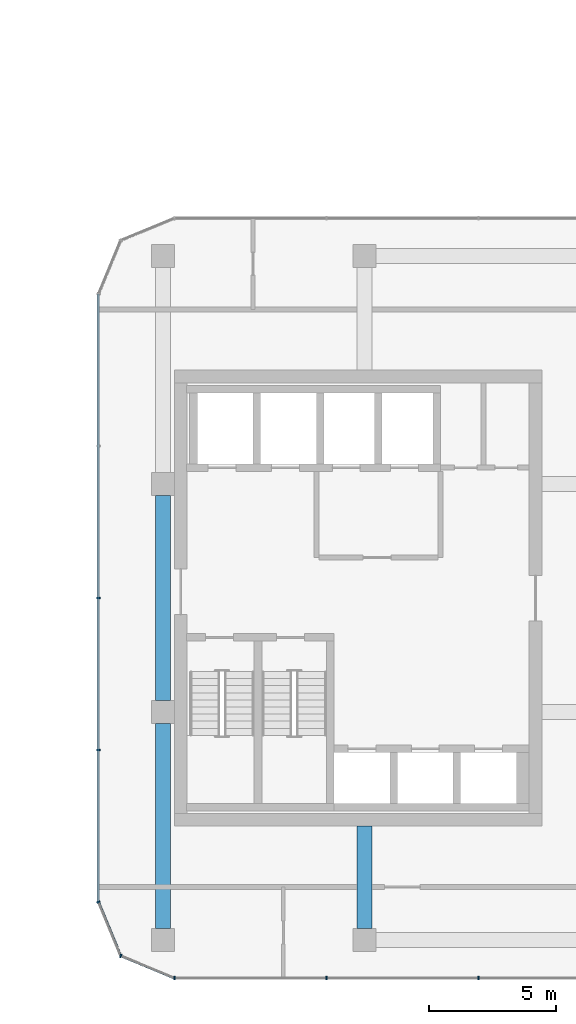
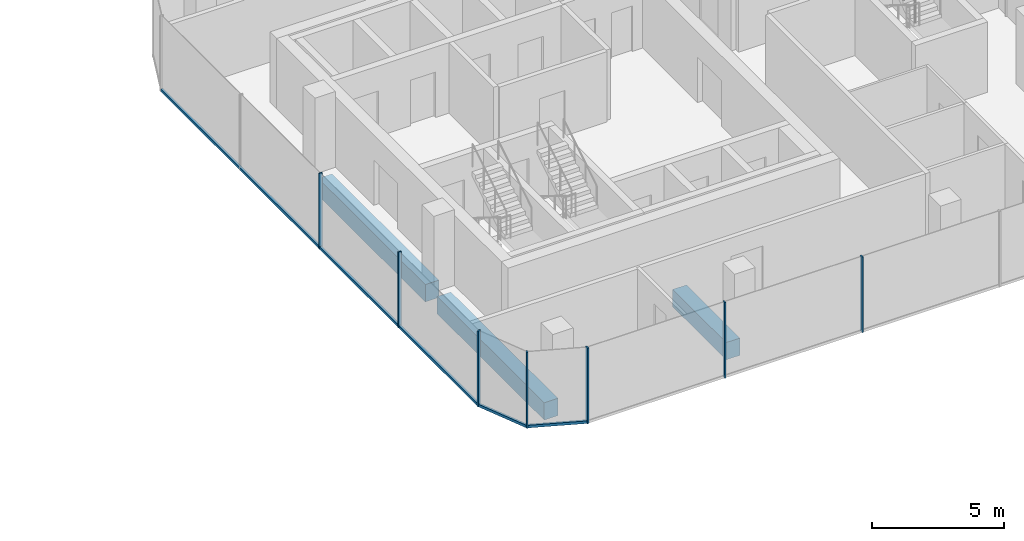
# One storey, part 8 of 24: 10 members, 3 beams, 4 elements without a shape of their own.
"""IFC4 building model written with IfcOpenShell, lengths in metres."""

from ifc_helpers import new_model, si_unit, direction, frame, origin, origin_2d, place, context, subcontext, project, spatial, rectangle, extrude, material, layer, layer_set, material_profile, profile_set, type_object, element, aggregate, save


model = new_model("IFC4")

# Units and contexts
model_context = context("Model", 3, precision=1e-05, world=origin(), true_north=direction((0.0, 1.0)))
body_context = subcontext(model_context, "Body", "Model", "MODEL_VIEW")
ifc_project = project(units=[si_unit("LENGTHUNIT", "METRE"), si_unit("AREAUNIT", "SQUARE_METRE"), si_unit("VOLUMEUNIT", "CUBIC_METRE"), si_unit("PLANEANGLEUNIT", "RADIAN"), si_unit("MASSUNIT", "GRAM", prefix="KILO")], contexts=[model_context])

# Site, building, storey
site_placement = place(None, origin())
site = spatial("IfcSite", under=ifc_project, at=site_placement, CompositionType="ELEMENT")
building_placement = place(site_placement, origin())
building = spatial("IfcBuilding", under=site, at=building_placement, Name="Plateau Cross Towers", CompositionType="ELEMENT")
storey_placement = place(building_placement, frame((0.0, 0.0, 51.300048828125)))
storey = spatial("IfcBuildingStorey", under=building, at=storey_placement, Name="L12", CompositionType="ELEMENT", Elevation=51.300048828125)

# Beam
ifc_material_1 = material(Name="Concrete C60/75", Category="concrete")
ifc_material_profile_1 = material_profile(ifc_material_1, rectangle(XDim=0.60009765625, YDim=0.800048828125, at=origin_2d()), Name="RC 600x800")
ifc_profile_set_1 = profile_set([ifc_material_profile_1], Name="Concrete C60/75")
beam_type_1 = type_object("IfcBeamType", Name="Core beam RC 600x800", PredefinedType="BEAM", material=ifc_profile_set_1)
beam_placement = place(storey_placement, frame((82.5, 0.0, -0.650146484375), z_axis=(0.0, -1.0, 0.0), x_axis=(1.0, 0.0, 0.0)))
element("IfcBeam", 1, at=beam_placement, inside=storey, type_object=beam_type_1, Name="B-CB01@L12", PredefinedType="BEAM", context=body_context, shape_type="SweptSolid", body=[
    extrude(rectangle(XDim=0.60009765625, YDim=0.800048828125, at=origin_2d()), origin(), (0.0, 0.0, 1.0), 4.050048828125),
])

# Curtain wall, members
ifc_material_2 = material(Name="Dark low-iron glass", Category="glass")
ifc_layer = layer(ifc_material_2, 0.239990234375)
ifc_layer_set = layer_set([ifc_layer], Name="Dark low-iron glass")
curtain_wall_type = type_object("IfcCurtainWallType", Name="Curtain wall office unitised CW-F", PredefinedType="NOTDEFINED", material=ifc_layer_set)
curtain_wall_1_placement = place(storey_placement, origin())
curtain_wall_1 = element("IfcCurtainWall", 2, at=curtain_wall_1_placement, inside=storey, type_object=curtain_wall_type, Name="ENV/B/L12/B750_-60", PredefinedType="NOTDEFINED")
ifc_material_3 = material(Name="Black anodised aluminium", Category="aluminium")
ifc_material_profile_2 = material_profile(ifc_material_3, rectangle(XDim=0.06005859375, YDim=0.139892578125, at=origin_2d()), Name="MULLION 60x140")
ifc_profile_set_2 = profile_set([ifc_material_profile_2], Name="Black anodised aluminium")
member_type_1 = type_object("IfcMemberType", Name="Mullion 60x140 office unitised", PredefinedType="MULLION", material=ifc_profile_set_2)
member_1_placement = place(storey_placement, frame((75.0, -6.0, -0.25), z_axis=(0.0, 0.0, 1.0), x_axis=(1.0, 0.0, 0.0)))
member_1 = element("IfcMember", 3, at=member_1_placement, type_object=member_type_1, Name="CW-F mullion 1", PredefinedType="MULLION", context=body_context, shape_type="SweptSolid", body=[
    extrude(rectangle(XDim=0.06005859375, YDim=0.139892578125, at=origin_2d()), origin(), (0.0, 0.0, 1.0), 3.5),
])
member_2_placement = place(storey_placement, frame((81.0, -6.0, -0.25), z_axis=(0.0, 0.0, 1.0), x_axis=(1.0, 0.0, 0.0)))
member_2 = element("IfcMember", 4, at=member_2_placement, type_object=member_type_1, Name="CW-F mullion 2", PredefinedType="MULLION", context=body_context, shape_type="SweptSolid", body=[
    extrude(rectangle(XDim=0.06005859375, YDim=0.139892578125, at=origin_2d()), origin(), (0.0, 0.0, 1.0), 3.5),
])
member_3_placement = place(storey_placement, frame((87.0, -6.0, -0.25), z_axis=(0.0, 0.0, 1.0), x_axis=(1.0, 0.0, 0.0)))
member_3 = element("IfcMember", 5, at=member_3_placement, type_object=member_type_1, Name="CW-F mullion 3", PredefinedType="MULLION", context=body_context, shape_type="SweptSolid", body=[
    extrude(rectangle(XDim=0.06005859375, YDim=0.139892578125, at=origin_2d()), origin(), (0.0, 0.0, 1.0), 3.5),
])
aggregate(curtain_wall_1, [member_1, member_2, member_3])

curtain_wall_2_placement = place(storey_placement, origin())
curtain_wall_2 = element("IfcCurtainWall", 6, at=curtain_wall_2_placement, inside=storey, type_object=curtain_wall_type, Name="ENV/B/L12/B720_210", PredefinedType="NOTDEFINED")
member_4_placement = place(storey_placement, frame((72.0, 9.0, -0.25), z_axis=(0.0, 0.0, 1.0), x_axis=(0.0, -1.0, 0.0)))
member_4 = element("IfcMember", 7, at=member_4_placement, type_object=member_type_1, Name="CW-F mullion 3", PredefinedType="MULLION", context=body_context, shape_type="SweptSolid", body=[
    extrude(rectangle(XDim=0.06005859375, YDim=0.139892578125, at=origin_2d()), origin(), (0.0, 0.0, 1.0), 3.5),
])
member_5_placement = place(storey_placement, frame((72.0, 3.0, -0.25), z_axis=(0.0, 0.0, 1.0), x_axis=(0.0, -1.0, 0.0)))
member_5 = element("IfcMember", 8, at=member_5_placement, type_object=member_type_1, Name="CW-F mullion 4", PredefinedType="MULLION", context=body_context, shape_type="SweptSolid", body=[
    extrude(rectangle(XDim=0.06005859375, YDim=0.139892578125, at=origin_2d()), origin(), (0.0, 0.0, 1.0), 3.5),
])

# Curtain wall, member
curtain_wall_3_placement = place(storey_placement, origin())
curtain_wall_3 = element("IfcCurtainWall", 9, at=curtain_wall_3_placement, inside=storey, type_object=curtain_wall_type, Name="ENV/B/L12/B720_-30", PredefinedType="NOTDEFINED")
member_6_placement = place(storey_placement, frame((72.0, -3.0, -0.25), z_axis=(0.0, 0.0, 1.0), x_axis=(0.382683612978, -0.923879457699, 0.0)))
member_6 = element("IfcMember", 10, at=member_6_placement, type_object=member_type_1, Name="CW-F mullion 1", PredefinedType="MULLION", context=body_context, shape_type="SweptSolid", body=[
    extrude(rectangle(XDim=0.06005859375, YDim=0.139892578125, at=origin_2d()), origin(), (0.0, 0.0, 1.0), 3.5),
])

curtain_wall_4_placement = place(storey_placement, origin())
curtain_wall_4 = element("IfcCurtainWall", 11, at=curtain_wall_4_placement, inside=storey, type_object=curtain_wall_type, Name="ENV/B/L12/B729_-51", PredefinedType="NOTDEFINED")
member_7_placement = place(storey_placement, frame((72.878662109375, -5.121337890625, -0.25), z_axis=(0.0, 0.0, 1.0), x_axis=(0.923879457699, -0.382683612978, 0.0)))
member_7 = element("IfcMember", 12, at=member_7_placement, type_object=member_type_1, Name="CW-F mullion 1", PredefinedType="MULLION", context=body_context, shape_type="SweptSolid", body=[
    extrude(rectangle(XDim=0.06005859375, YDim=0.139892578125, at=origin_2d()), origin(), (0.0, 0.0, 1.0), 3.5),
])

# Beams
ifc_material_profile_3 = material_profile(ifc_material_1, rectangle(XDim=0.60009765625, YDim=0.800048828125, at=origin_2d()), Name="RC 600x800")
ifc_profile_set_3 = profile_set([ifc_material_profile_3], Name="Concrete C60/75")
beam_type_2 = type_object("IfcBeamType", Name="Ring beam RC 600x800", PredefinedType="BEAM", material=ifc_profile_set_3)
for number, where, z_axis, x_axis, name in (
    (13, (74.550048828125, 13.050048828125, -0.650146484375), (0.0, -1.0, 0.0), (1.0, 0.0, 0.0), "B-RB09@L12"),
    (14, (74.550048828125, 4.050048828125, -0.650146484375), (0.0, -1.0, 0.0), (1.0, 0.0, 0.0), "B-RB10@L12"),
):
    element("IfcBeam", number, at=place(storey_placement, frame(where, z_axis=z_axis, x_axis=x_axis)), inside=storey, type_object=beam_type_2, Name=name, PredefinedType="BEAM", context=body_context, shape_type="SweptSolid", body=[
        extrude(rectangle(XDim=0.60009765625, YDim=0.800048828125, at=origin_2d()), origin(), (0.0, 0.0, 1.0), 8.10009765625),
    ])

# Member
ifc_material_profile_4 = material_profile(ifc_material_3, rectangle(XDim=0.10009765625, YDim=0.1201171875, at=origin_2d()), Name="TRANSOM 100x120")
ifc_profile_set_4 = profile_set([ifc_material_profile_4], Name="Black anodised aluminium")
member_type_2 = type_object("IfcMemberType", Name="Transom 100x120 office unitised", PredefinedType="USERDEFINED", material=ifc_profile_set_4)
member_8_placement = place(storey_placement, frame((72.0, 21.0, -0.18994140625), z_axis=(0.0, -1.0, 0.0), x_axis=(1.0, 0.0, 0.0)))
member_8 = element("IfcMember", 15, at=member_8_placement, type_object=member_type_2, Name="CW-F transom", ObjectType="TRANSOM", PredefinedType="USERDEFINED", context=body_context, shape_type="SweptSolid", body=[
    extrude(rectangle(XDim=0.10009765625, YDim=0.1201171875, at=origin_2d()), origin(), (0.0, 0.0, 1.0), 24.0),
])

aggregate(curtain_wall_2, [member_4, member_5, member_8])

member_9_placement = place(storey_placement, frame((72.0, -3.0, -0.18994140625), z_axis=(0.382674207535, -0.923883353507, 0.0), x_axis=(0.923883353507, 0.382674207535, 0.0)))
member_9 = element("IfcMember", 16, at=member_9_placement, type_object=member_type_2, Name="CW-F transom", ObjectType="TRANSOM", PredefinedType="USERDEFINED", context=body_context, shape_type="SweptSolid", body=[
    extrude(rectangle(XDim=0.10009765625, YDim=0.1201171875, at=origin_2d()), origin(), (0.0, 0.0, 1.0), 2.296142578125),
])

aggregate(curtain_wall_3, [member_6, member_9])

member_10_placement = place(storey_placement, frame((72.878662109375, -5.121337890625, -0.18994140625), z_axis=(0.923883353507, -0.382674207535, 0.0), x_axis=(0.382674207535, 0.923883353507, 0.0)))
member_10 = element("IfcMember", 17, at=member_10_placement, type_object=member_type_2, Name="CW-F transom", ObjectType="TRANSOM", PredefinedType="USERDEFINED", context=body_context, shape_type="SweptSolid", body=[
    extrude(rectangle(XDim=0.10009765625, YDim=0.1201171875, at=origin_2d()), origin(), (0.0, 0.0, 1.0), 2.296142578125),
])

aggregate(curtain_wall_4, [member_7, member_10])

save(model, "model.ifc")
